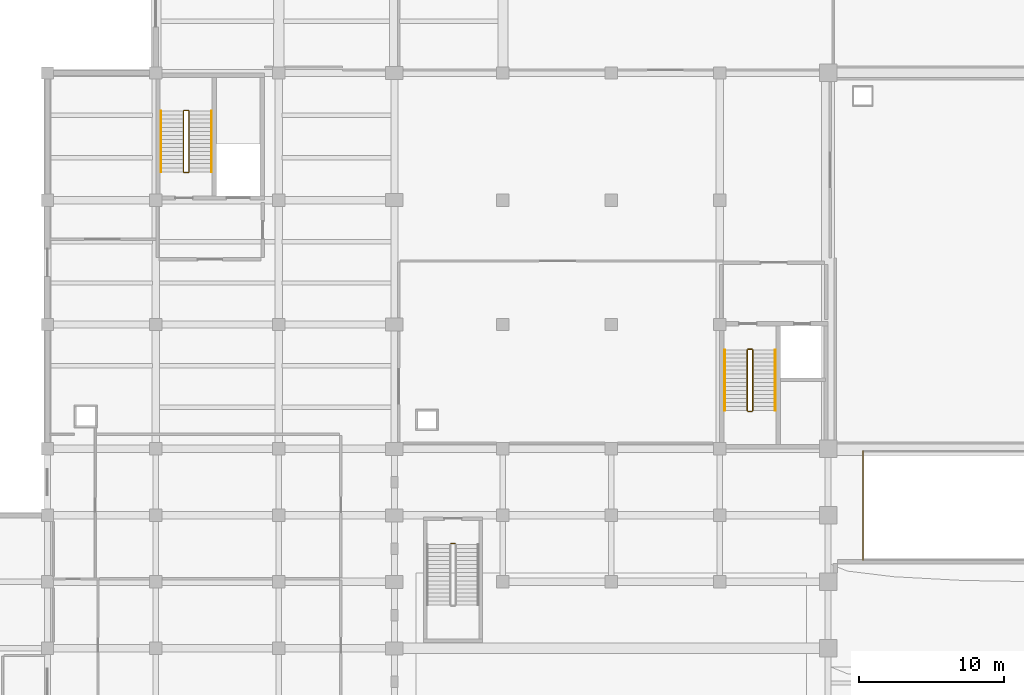
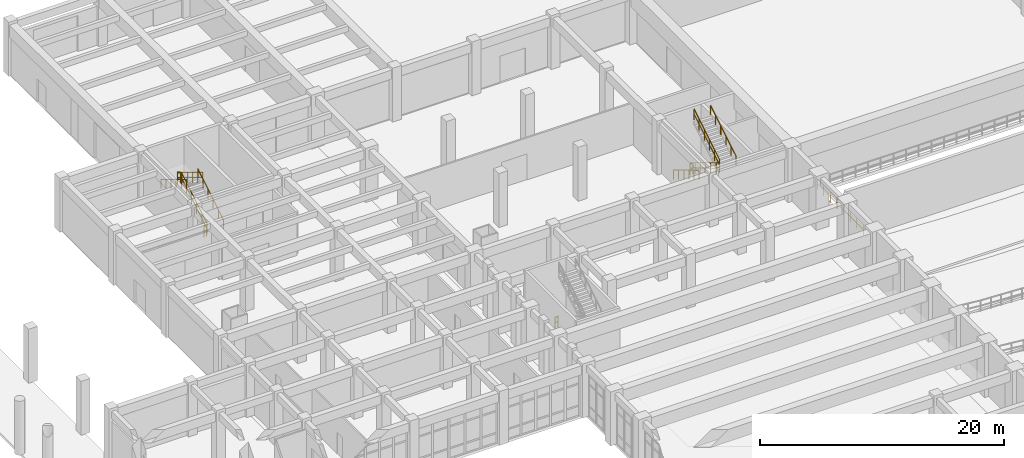
# One storey, part 80 of 84: 14 railings.
"""IFC4 building model written with IfcOpenShell, lengths in metres."""

import ifcopenshell
import ifcopenshell.guid

model = None  # the IFC model being written
_history = None  # IfcOwnerHistory: only IFC2X3 demands one
_inside = {}  # id of a spatial element -> (the spatial element, [elements in it])
_under = {}  # id of a project, library or spatial element -> (it, [spatial elements below it])
_declared = {}  # id of a project -> (the project, [libraries it declares])
_typed = {}  # id of a type object -> (the type object, [elements of that type])
_made_of = {}  # id of a material, layer set ... -> (it, [elements and type objects made of it])


def new_model(schema):
    """Start an empty IFC model of exactly this schema.

    Asked for "IFC4X3", IfcOpenShell would pick the latest addendum, in which some entities
    have other attributes; the version numbers below select the first issue.
    IFC2X3 requires an IfcOwnerHistory on every rooted entity: one is made here for all.
    """
    global model, _history
    if schema == "IFC4X3":
        model = ifcopenshell.file(schema_version=(4, 3, 0, 0))
    else:
        model = ifcopenshell.file(schema=schema)
    _inside.clear()
    _under.clear()
    _declared.clear()
    _typed.clear()
    _made_of.clear()
    _history = None
    if model.schema == "IFC2X3":
        org = make("IfcOrganization", Name="unknown")
        user = make(
            "IfcPersonAndOrganization",
            ThePerson=make("IfcPerson", FamilyName="unknown"),
            TheOrganization=org,
        )
        app = make(
            "IfcApplication",
            ApplicationDeveloper=org,
            Version="unknown",
            ApplicationFullName="unknown",
            ApplicationIdentifier="unknown",
        )
        _history = make(
            "IfcOwnerHistory",
            OwningUser=user,
            OwningApplication=app,
            ChangeAction="ADDED",
            CreationDate=0,
        )
    return model


def make(cls, **values):
    """One entity of the class cls with the attributes given. An attribute that is None is left unset."""
    return model.create_entity(
        cls, **{name: value for name, value in values.items() if value is not None}
    )


def rooted(cls, **values):
    """An entity with a GlobalId (a new one), such as an element, a storey or a relation."""
    return make(cls, GlobalId=ifcopenshell.guid.new(), OwnerHistory=_history, **values)


def si_unit(unit_type, name, prefix=None):
    """IfcSIUnit, for example si_unit("LENGTHUNIT", "METRE", prefix="MILLI")."""
    return make("IfcSIUnit", UnitType=unit_type, Prefix=prefix, Name=name)


def assignment(units):
    """IfcUnitAssignment: the units of a project."""
    return None if units is None else make("IfcUnitAssignment", Units=units)


def point(xyz):
    """IfcCartesianPoint."""
    return None if xyz is None else make("IfcCartesianPoint", Coordinates=xyz)


def direction(xyz):
    """IfcDirection."""
    return None if xyz is None else make("IfcDirection", DirectionRatios=xyz)


def frame(location, z_axis=None, x_axis=None):
    """IfcAxis2Placement3D, a coordinate frame: its origin and axes. An axis left out is left unset."""
    return make(
        "IfcAxis2Placement3D",
        Location=point(location),
        Axis=direction(z_axis),
        RefDirection=direction(x_axis),
    )


def frame_2d(location, x_axis=None):
    """IfcAxis2Placement2D, a coordinate frame in the plane: its origin and x axis."""
    return make(
        "IfcAxis2Placement2D", Location=point(location), RefDirection=direction(x_axis)
    )


def origin():
    """The frame at (0, 0, 0) with its axes left unset."""
    return frame((0.0, 0.0, 0.0))


def origin_2d():
    """The frame at (0, 0) in the plane with its x axis left unset."""
    return frame_2d((0.0, 0.0))


def place(relative_to, where):
    """IfcLocalPlacement: puts the frame where relative to a parent placement (None: the world)."""
    return make(
        "IfcLocalPlacement", PlacementRelTo=relative_to, RelativePlacement=where
    )


def context(
    kind, dimensions, precision=None, world=None, true_north=None, identifier=None
):
    """IfcGeometricRepresentationContext, for example the 3D "Model" context."""
    return make(
        "IfcGeometricRepresentationContext",
        ContextIdentifier=identifier,
        ContextType=kind,
        CoordinateSpaceDimension=dimensions,
        Precision=precision,
        WorldCoordinateSystem=world,
        TrueNorth=true_north,
    )


def subcontext(parent, identifier, kind, view, scale=None):
    """IfcGeometricRepresentationSubContext, for example "Body" below "Model"."""
    return make(
        "IfcGeometricRepresentationSubContext",
        ContextIdentifier=identifier,
        ContextType=kind,
        ParentContext=parent,
        TargetScale=scale,
        TargetView=view,
    )


def project(units=None, contexts=None):
    """IfcProject with its units and contexts."""
    return rooted(
        "IfcProject",
        Name="project",
        RepresentationContexts=contexts,
        UnitsInContext=assignment(units),
    )


def spatial(cls, under=None, at=None, **own):
    """A site, building, storey or space (cls), placed at a placement, below another one or the project."""
    s = rooted(cls, ObjectPlacement=at, **own)
    if under is not None:
        _under.setdefault(under.id(), (under, []))[1].append(s)
    return s


def profile(cls, at=None, kind="AREA", **sizes):
    """A parametric profile (cls). Its sizes go by their IFC names, for example OverallWidth=200.0."""
    return make(cls, ProfileType=kind, Position=at, **sizes)


def circle(**sizes):
    """IfcCircleProfileDef."""
    return profile("IfcCircleProfileDef", **sizes)


def extrude(swept, where, along, depth):
    """IfcExtrudedAreaSolid: the profile swept, set in the frame where, extruded along a direction by depth."""
    return make(
        "IfcExtrudedAreaSolid",
        SweptArea=swept,
        Position=where,
        ExtrudedDirection=direction(along),
        Depth=depth,
    )


def shape(context_of_items, identifier, shape_type, items):
    """IfcShapeRepresentation: the items that make up one representation, for example the "Body"."""
    return make(
        "IfcShapeRepresentation",
        ContextOfItems=context_of_items,
        RepresentationIdentifier=identifier,
        RepresentationType=shape_type,
        Items=items,
    )


def material(Name=None, Category=None):
    """IfcMaterial."""
    return make("IfcMaterial", Name=Name, Category=Category)


def made_of(thing, what):
    """Note that an element or type object is made of a material, layer set ...; save() writes the relation."""
    if what is not None:
        _made_of.setdefault(what.id(), (what, []))[1].append(thing)
    return thing


def type_object(cls, material=None, **own):
    """A type object (cls), such as IfcWallType, which elements share."""
    return made_of(rooted(cls, **own), material)


def element(
    cls,
    number,
    at=None,
    inside=None,
    cuts=None,
    type_object=None,
    material=None,
    context=None,
    identifier="Body",
    shape_type=None,
    held_by="IfcProductDefinitionShape",
    body=None,
    shapes=None,
    **own,
):
    """One element of the class cls, such as IfcWall. Its Tag is "e" and its number.

    at: its placement. inside: the storey or other place that contains it. cuts: it is an
    opening in that element (IfcRelVoidsElement). A single representation is given by context,
    identifier, shape_type and body (its items); several are given by shapes. held_by: the class
    of the entity that holds the representations. save() writes the other relations.
    """
    e = rooted(cls, Tag="e%d" % number, ObjectPlacement=at, **own)
    if body is not None:
        shapes = [shape(context, identifier, shape_type, body)]
    if shapes is not None:
        e.Representation = make(held_by, Representations=shapes)
    if inside is not None:
        _inside.setdefault(inside.id(), (inside, []))[1].append(e)
    if cuts is not None:
        rooted(
            "IfcRelVoidsElement", RelatingBuildingElement=cuts, RelatedOpeningElement=e
        )
    if type_object is not None:
        _typed.setdefault(type_object.id(), (type_object, []))[1].append(e)
    return made_of(e, material)


def aggregate(whole, parts):
    """IfcRelAggregates: a whole, such as a stair, and the parts it consists of."""
    return rooted("IfcRelAggregates", RelatingObject=whole, RelatedObjects=parts)


def save(model, path):
    """Write the relations noted so far, then the file.

    IfcRelAggregates (storeys below a building ...), IfcRelContainedInSpatialStructure (elements
    in a storey), IfcRelDefinesByType, IfcRelAssociatesMaterial and IfcRelDeclares: one each for
    every whole, place, type object, material and project.
    """
    for whole, parts in _under.values():
        aggregate(whole, parts)
    for where, things in _inside.values():
        rooted(
            "IfcRelContainedInSpatialStructure",
            RelatedElements=things,
            RelatingStructure=where,
        )
    for kind, things in _typed.values():
        rooted("IfcRelDefinesByType", RelatedObjects=things, RelatingType=kind)
    for what, things in _made_of.values():
        rooted("IfcRelAssociatesMaterial", RelatedObjects=things, RelatingMaterial=what)
    for by, libraries in _declared.values():
        rooted("IfcRelDeclares", RelatingContext=by, RelatedDefinitions=libraries)
    model.write(path)


model = new_model("IFC4")

# Units and contexts
model_context = context("Model", 3, precision=1e-05, world=origin(), true_north=direction((0.0, 1.0)))
body_context = subcontext(model_context, "Body", "Model", "MODEL_VIEW")
ifc_project = project(units=[si_unit("LENGTHUNIT", "METRE"), si_unit("AREAUNIT", "SQUARE_METRE"), si_unit("VOLUMEUNIT", "CUBIC_METRE"), si_unit("PLANEANGLEUNIT", "RADIAN"), si_unit("MASSUNIT", "GRAM", prefix="KILO")], contexts=[model_context])

# Site, building, storey
site_placement = place(None, origin())
site = spatial("IfcSite", under=ifc_project, at=site_placement, CompositionType="ELEMENT")
building_placement = place(site_placement, origin())
building = spatial("IfcBuilding", under=site, at=building_placement, Name="Muzn Square Opera House", CompositionType="ELEMENT")
storey_placement = place(building_placement, origin())
storey = spatial("IfcBuildingStorey", under=building, at=storey_placement, Name="L00", CompositionType="ELEMENT", Elevation=0.0)

# Railings
ifc_material_1 = material(Name="Architectural bronze mashrabiya", Category="metal")
railing_type_1 = type_object("IfcRailingType", Name="Bronze Protective Balustrade 1120mm", PredefinedType="BALUSTRADE", material=ifc_material_1)
railing_1_placement = place(storey_placement, frame((75.419921875, 72.429931640625, 0.0)))
element("IfcRailing", 1, at=railing_1_placement, inside=storey, type_object=railing_type_1, Name="Void Edge Balustrade L00-0004", PredefinedType="BALUSTRADE", context=body_context, shape_type="SweptSolid", body=[
    extrude(circle(Radius=0.02392578125, at=origin_2d()), frame((0.0, 0.0, 1.09619140625), z_axis=(0.0, -1.0, 0.0), x_axis=(1.0, 0.0, 0.0)), (0.0, 0.0, 1.0), 7.510009765625),
    extrude(circle(Radius=0.02392578125, at=origin_2d()), frame((0.0, 0.0, 0.56005859375), z_axis=(0.0, -1.0, 0.0), x_axis=(1.0, 0.0, 0.0)), (0.0, 0.0, 1.0), 7.510009765625),
    extrude(circle(Radius=0.02099609375, at=origin_2d()), origin(), (0.0, 0.0, 1.0), 1.072021484375),
    extrude(circle(Radius=0.02099609375, at=origin_2d()), frame((0.0, -1.07275390625, 0.0)), (0.0, 0.0, 1.0), 1.072021484375),
    extrude(circle(Radius=0.02099609375, at=origin_2d()), frame((0.0, -2.145751953125, 0.0)), (0.0, 0.0, 1.0), 1.072021484375),
    extrude(circle(Radius=0.02099609375, at=origin_2d()), frame((0.0, -3.218505859375, 0.0)), (0.0, 0.0, 1.0), 1.072021484375),
    extrude(circle(Radius=0.02099609375, at=origin_2d()), frame((0.0, -4.29150390625, 0.0)), (0.0, 0.0, 1.0), 1.072021484375),
    extrude(circle(Radius=0.02099609375, at=origin_2d()), frame((0.0, -5.3642578125, 0.0)), (0.0, 0.0, 1.0), 1.072021484375),
    extrude(circle(Radius=0.02099609375, at=origin_2d()), frame((0.0, -6.437255859375, 0.0)), (0.0, 0.0, 1.0), 1.072021484375),
    extrude(circle(Radius=0.02099609375, at=origin_2d()), frame((0.0, -7.510009765625, 0.0)), (0.0, 0.0, 1.0), 1.072021484375),
])
ifc_material_2 = material(Name="Brushed stainless steel", Category="metal")
railing_type_2 = type_object("IfcRailingType", Name="Stair Guard Railing 1120mm", PredefinedType="GUARDRAIL", material=ifc_material_2)
railing_2_placement = place(storey_placement, frame((67.409912109375, 79.43994140625, 0.168701171875)))
element("IfcRailing", 2, at=railing_2_placement, inside=storey, type_object=railing_type_2, Name="L00 ST-1 stair guard 1", PredefinedType="GUARDRAIL", context=body_context, shape_type="SweptSolid", body=[
    extrude(circle(Radius=0.02392578125, at=origin_2d()), frame((0.0, 0.0, 1.076171875), z_axis=(0.0, -0.856476492594, 0.516186030065), x_axis=(1.0, 0.0, 0.0)), (0.0, 0.0, 1.0), 4.90380859375),
    extrude(circle(Radius=0.02392578125, at=origin_2d()), frame((0.0, 0.0, 0.550048828125), z_axis=(0.0, -0.856476492594, 0.516186030065), x_axis=(1.0, 0.0, 0.0)), (0.0, 0.0, 1.0), 4.90380859375),
    extrude(circle(Radius=0.02099609375, at=origin_2d()), origin(), (0.0, 0.0, 1.0), 1.052001953125),
    extrude(circle(Radius=0.02099609375, at=origin_2d()), frame((0.0, -0.840087890625, 0.50634765625)), (0.0, 0.0, 1.0), 1.052001953125),
    extrude(circle(Radius=0.02099609375, at=origin_2d()), frame((0.0, -1.679931640625, 1.012451171875)), (0.0, 0.0, 1.0), 1.052001953125),
    extrude(circle(Radius=0.02099609375, at=origin_2d()), frame((0.0, -2.52001953125, 1.518798828125)), (0.0, 0.0, 1.0), 1.052001953125),
    extrude(circle(Radius=0.02099609375, at=origin_2d()), frame((0.0, -3.35986328125, 2.02490234375)), (0.0, 0.0, 1.0), 1.052001953125),
    extrude(circle(Radius=0.02099609375, at=origin_2d()), frame((0.0, -4.199951171875, 2.53125)), (0.0, 0.0, 1.0), 1.052001953125),
])
railing_3_placement = place(storey_placement, frame((67.4599609375, 75.18994140625, 2.699951171875)))
element("IfcRailing", 3, at=railing_3_placement, inside=storey, type_object=railing_type_2, Name="L00 ST-1 stair guard 2", PredefinedType="GUARDRAIL", context=body_context, shape_type="SweptSolid", body=[
    extrude(circle(Radius=0.02392578125, at=origin_2d()), frame((0.0, 0.0, 1.076171875), z_axis=(1.0, 0.0, 0.0), x_axis=(0.0, 1.0, 0.0)), (0.0, 0.0, 1.0), 0.280029296875),
    extrude(circle(Radius=0.02392578125, at=origin_2d()), frame((0.0, 0.0, 0.550048828125), z_axis=(1.0, 0.0, 0.0), x_axis=(0.0, 1.0, 0.0)), (0.0, 0.0, 1.0), 0.280029296875),
    extrude(circle(Radius=0.02099609375, at=origin_2d()), origin(), (0.0, 0.0, 1.0), 1.052001953125),
    extrude(circle(Radius=0.02099609375, at=origin_2d()), frame((0.280029296875, 0.0, 0.0)), (0.0, 0.0, 1.0), 1.052001953125),
])
railing_4_placement = place(storey_placement, frame((67.7900390625, 75.239990234375, 2.86865234375)))
element("IfcRailing", 4, at=railing_4_placement, inside=storey, type_object=railing_type_2, Name="L00 ST-1 stair guard 3", PredefinedType="GUARDRAIL", context=body_context, shape_type="SweptSolid", body=[
    extrude(circle(Radius=0.02392578125, at=origin_2d()), frame((0.0, 0.0, 1.076171875), z_axis=(0.0, 0.856476492594, 0.516186030065), x_axis=(-1.0, 0.0, 0.0)), (0.0, 0.0, 1.0), 4.90380859375),
    extrude(circle(Radius=0.02392578125, at=origin_2d()), frame((0.0, 0.0, 0.550048828125), z_axis=(0.0, 0.856476492594, 0.516186030065), x_axis=(-1.0, 0.0, 0.0)), (0.0, 0.0, 1.0), 4.90380859375),
    extrude(circle(Radius=0.02099609375, at=origin_2d()), origin(), (0.0, 0.0, 1.0), 1.052001953125),
    extrude(circle(Radius=0.02099609375, at=origin_2d()), frame((0.0, 0.840087890625, 0.50634765625)), (0.0, 0.0, 1.0), 1.052001953125),
    extrude(circle(Radius=0.02099609375, at=origin_2d()), frame((0.0, 1.679931640625, 1.012451171875)), (0.0, 0.0, 1.0), 1.052001953125),
    extrude(circle(Radius=0.02099609375, at=origin_2d()), frame((0.0, 2.52001953125, 1.518798828125)), (0.0, 0.0, 1.0), 1.052001953125),
    extrude(circle(Radius=0.02099609375, at=origin_2d()), frame((0.0, 3.35986328125, 2.02490234375)), (0.0, 0.0, 1.0), 1.052001953125),
    extrude(circle(Radius=0.02099609375, at=origin_2d()), frame((0.0, 4.199951171875, 2.53125)), (0.0, 0.0, 1.0), 1.052001953125),
])
railing_5_placement = place(storey_placement, frame((67.4599609375, 79.489990234375, 0.0)))
element("IfcRailing", 5, at=railing_5_placement, inside=storey, type_object=railing_type_2, Name="L00 ST-1 stair guard 4", PredefinedType="GUARDRAIL", context=body_context, shape_type="SweptSolid", body=[
    extrude(circle(Radius=0.02392578125, at=origin_2d()), frame((0.0, 0.0, 1.076171875), z_axis=(1.0, 0.0, 0.0), x_axis=(0.0, 1.0, 0.0)), (0.0, 0.0, 1.0), 0.280029296875),
    extrude(circle(Radius=0.02392578125, at=origin_2d()), frame((0.0, 0.0, 0.550048828125), z_axis=(1.0, 0.0, 0.0), x_axis=(0.0, 1.0, 0.0)), (0.0, 0.0, 1.0), 0.280029296875),
    extrude(circle(Radius=0.02099609375, at=origin_2d()), origin(), (0.0, 0.0, 1.0), 1.052001953125),
    extrude(circle(Radius=0.02099609375, at=origin_2d()), frame((0.280029296875, 0.0, 0.0)), (0.0, 0.0, 1.0), 1.052001953125),
])
railing_6_placement = place(storey_placement, frame((28.7900390625, 91.760009765625, 0.168701171875)))
element("IfcRailing", 6, at=railing_6_placement, inside=storey, type_object=railing_type_2, Name="L00 ST-6 stair guard 1", PredefinedType="GUARDRAIL", context=body_context, shape_type="SweptSolid", body=[
    extrude(circle(Radius=0.02392578125, at=origin_2d()), frame((0.0, 0.0, 1.076171875), z_axis=(0.0, 0.856476492594, 0.516186030065), x_axis=(-1.0, 0.0, 0.0)), (0.0, 0.0, 1.0), 4.90380859375),
    extrude(circle(Radius=0.02392578125, at=origin_2d()), frame((0.0, 0.0, 0.550048828125), z_axis=(0.0, 0.856476492594, 0.516186030065), x_axis=(-1.0, 0.0, 0.0)), (0.0, 0.0, 1.0), 4.90380859375),
    extrude(circle(Radius=0.02099609375, at=origin_2d()), origin(), (0.0, 0.0, 1.0), 1.052001953125),
    extrude(circle(Radius=0.02099609375, at=origin_2d()), frame((0.0, 0.840087890625, 0.50634765625)), (0.0, 0.0, 1.0), 1.052001953125),
    extrude(circle(Radius=0.02099609375, at=origin_2d()), frame((0.0, 1.679931640625, 1.012451171875)), (0.0, 0.0, 1.0), 1.052001953125),
    extrude(circle(Radius=0.02099609375, at=origin_2d()), frame((0.0, 2.52001953125, 1.518798828125)), (0.0, 0.0, 1.0), 1.052001953125),
    extrude(circle(Radius=0.02099609375, at=origin_2d()), frame((0.0, 3.35986328125, 2.02490234375)), (0.0, 0.0, 1.0), 1.052001953125),
    extrude(circle(Radius=0.02099609375, at=origin_2d()), frame((0.0, 4.199951171875, 2.53125)), (0.0, 0.0, 1.0), 1.052001953125),
])
railing_7_placement = place(storey_placement, frame((28.739990234375, 96.010009765625, 2.699951171875)))
element("IfcRailing", 7, at=railing_7_placement, inside=storey, type_object=railing_type_2, Name="L00 ST-6 stair guard 2", PredefinedType="GUARDRAIL", context=body_context, shape_type="SweptSolid", body=[
    extrude(circle(Radius=0.02392578125, at=origin_2d()), frame((0.0, 0.0, 1.076171875), z_axis=(-1.0, 0.0, 0.0), x_axis=(0.0, -1.0, 0.0)), (0.0, 0.0, 1.0), 0.280029296875),
    extrude(circle(Radius=0.02392578125, at=origin_2d()), frame((0.0, 0.0, 0.550048828125), z_axis=(-1.0, 0.0, 0.0), x_axis=(0.0, -1.0, 0.0)), (0.0, 0.0, 1.0), 0.280029296875),
    extrude(circle(Radius=0.02099609375, at=origin_2d()), origin(), (0.0, 0.0, 1.0), 1.052001953125),
    extrude(circle(Radius=0.02099609375, at=origin_2d()), frame((-0.280029296875, 0.0, 0.0)), (0.0, 0.0, 1.0), 1.052001953125),
])
railing_8_placement = place(storey_placement, frame((28.409912109375, 95.9599609375, 2.86865234375)))
element("IfcRailing", 8, at=railing_8_placement, inside=storey, type_object=railing_type_2, Name="L00 ST-6 stair guard 3", PredefinedType="GUARDRAIL", context=body_context, shape_type="SweptSolid", body=[
    extrude(circle(Radius=0.02392578125, at=origin_2d()), frame((0.0, 0.0, 1.076171875), z_axis=(0.0, -0.856476492594, 0.516186030065), x_axis=(1.0, 0.0, 0.0)), (0.0, 0.0, 1.0), 4.90380859375),
    extrude(circle(Radius=0.02392578125, at=origin_2d()), frame((0.0, 0.0, 0.550048828125), z_axis=(0.0, -0.856476492594, 0.516186030065), x_axis=(1.0, 0.0, 0.0)), (0.0, 0.0, 1.0), 4.90380859375),
    extrude(circle(Radius=0.02099609375, at=origin_2d()), origin(), (0.0, 0.0, 1.0), 1.052001953125),
    extrude(circle(Radius=0.02099609375, at=origin_2d()), frame((0.0, -0.840087890625, 0.50634765625)), (0.0, 0.0, 1.0), 1.052001953125),
    extrude(circle(Radius=0.02099609375, at=origin_2d()), frame((0.0, -1.679931640625, 1.012451171875)), (0.0, 0.0, 1.0), 1.052001953125),
    extrude(circle(Radius=0.02099609375, at=origin_2d()), frame((0.0, -2.52001953125, 1.518798828125)), (0.0, 0.0, 1.0), 1.052001953125),
    extrude(circle(Radius=0.02099609375, at=origin_2d()), frame((0.0, -3.35986328125, 2.02490234375)), (0.0, 0.0, 1.0), 1.052001953125),
    extrude(circle(Radius=0.02099609375, at=origin_2d()), frame((0.0, -4.199951171875, 2.53125)), (0.0, 0.0, 1.0), 1.052001953125),
])
railing_9_placement = place(storey_placement, frame((28.739990234375, 91.7099609375, 0.0)))
element("IfcRailing", 9, at=railing_9_placement, inside=storey, type_object=railing_type_2, Name="L00 ST-6 stair guard 4", PredefinedType="GUARDRAIL", context=body_context, shape_type="SweptSolid", body=[
    extrude(circle(Radius=0.02392578125, at=origin_2d()), frame((0.0, 0.0, 1.076171875), z_axis=(-1.0, 0.0, 0.0), x_axis=(0.0, -1.0, 0.0)), (0.0, 0.0, 1.0), 0.280029296875),
    extrude(circle(Radius=0.02392578125, at=origin_2d()), frame((0.0, 0.0, 0.550048828125), z_axis=(-1.0, 0.0, 0.0), x_axis=(0.0, -1.0, 0.0)), (0.0, 0.0, 1.0), 0.280029296875),
    extrude(circle(Radius=0.02099609375, at=origin_2d()), origin(), (0.0, 0.0, 1.0), 1.052001953125),
    extrude(circle(Radius=0.02099609375, at=origin_2d()), frame((-0.280029296875, 0.0, 0.0)), (0.0, 0.0, 1.0), 1.052001953125),
])
railing_10_placement = place(storey_placement, frame((46.909912109375, 66.0400390625, 0.0)))
element("IfcRailing", 10, at=railing_10_placement, inside=storey, type_object=railing_type_2, Name="L00 ST-9 stair guard 4", PredefinedType="GUARDRAIL", context=body_context, shape_type="SweptSolid", body=[
    extrude(circle(Radius=0.02392578125, at=origin_2d()), frame((0.0, 0.0, 1.076171875), z_axis=(1.0, 0.0, 0.0), x_axis=(0.0, 1.0, 0.0)), (0.0, 0.0, 1.0), 0.280029296875),
    extrude(circle(Radius=0.02392578125, at=origin_2d()), frame((0.0, 0.0, 0.550048828125), z_axis=(1.0, 0.0, 0.0), x_axis=(0.0, 1.0, 0.0)), (0.0, 0.0, 1.0), 0.280029296875),
    extrude(circle(Radius=0.02099609375, at=origin_2d()), origin(), (0.0, 0.0, 1.0), 1.052001953125),
    extrude(circle(Radius=0.02099609375, at=origin_2d()), frame((0.280029296875, 0.0, 0.0)), (0.0, 0.0, 1.0), 1.052001953125),
])
railing_type_3 = type_object("IfcRailingType", Name="Stair Pitch Handrail 900mm", PredefinedType="HANDRAIL", material=ifc_material_2)
railing_11_placement = place(storey_placement, frame((65.85009765625, 79.43994140625, 0.168701171875)))
element("IfcRailing", 11, at=railing_11_placement, inside=storey, type_object=railing_type_3, Name="L00 ST-1 stair handrail 1", PredefinedType="HANDRAIL", context=body_context, shape_type="SweptSolid", body=[
    extrude(circle(Radius=0.02392578125, at=origin_2d()), frame((0.0, 0.0, 0.8759765625), z_axis=(0.0, -0.856476492594, 0.516186030065), x_axis=(1.0, 0.0, 0.0)), (0.0, 0.0, 1.0), 4.90380859375),
    extrude(circle(Radius=0.02099609375, at=origin_2d()), origin(), (0.0, 0.0, 1.0), 0.851806640625),
    extrude(circle(Radius=0.02099609375, at=origin_2d()), frame((0.0, -0.840087890625, 0.50634765625)), (0.0, 0.0, 1.0), 0.851806640625),
    extrude(circle(Radius=0.02099609375, at=origin_2d()), frame((0.0, -1.679931640625, 1.012451171875)), (0.0, 0.0, 1.0), 0.851806640625),
    extrude(circle(Radius=0.02099609375, at=origin_2d()), frame((0.0, -2.52001953125, 1.518798828125)), (0.0, 0.0, 1.0), 0.851806640625),
    extrude(circle(Radius=0.02099609375, at=origin_2d()), frame((0.0, -3.35986328125, 2.02490234375)), (0.0, 0.0, 1.0), 0.851806640625),
    extrude(circle(Radius=0.02099609375, at=origin_2d()), frame((0.0, -4.199951171875, 2.53125)), (0.0, 0.0, 1.0), 0.851806640625),
])
for number, where, name in (
    (12, (69.35009765625, 75.239990234375, 2.86865234375), "L00 ST-1 stair handrail 2"),
    (13, (30.35009765625, 91.760009765625, 0.168701171875), "L00 ST-6 stair handrail 1"),
):
    element("IfcRailing", number, at=place(storey_placement, frame(where)), inside=storey, type_object=railing_type_3, Name=name, PredefinedType="HANDRAIL", context=body_context, shape_type="SweptSolid", body=[
        extrude(circle(Radius=0.02392578125, at=origin_2d()), frame((0.0, 0.0, 0.8759765625), z_axis=(0.0, 0.856476492594, 0.516186030065), x_axis=(-1.0, 0.0, 0.0)), (0.0, 0.0, 1.0), 4.90380859375),
        extrude(circle(Radius=0.02099609375, at=origin_2d()), origin(), (0.0, 0.0, 1.0), 0.851806640625),
        extrude(circle(Radius=0.02099609375, at=origin_2d()), frame((0.0, 0.840087890625, 0.50634765625)), (0.0, 0.0, 1.0), 0.851806640625),
        extrude(circle(Radius=0.02099609375, at=origin_2d()), frame((0.0, 1.679931640625, 1.012451171875)), (0.0, 0.0, 1.0), 0.851806640625),
        extrude(circle(Radius=0.02099609375, at=origin_2d()), frame((0.0, 2.52001953125, 1.518798828125)), (0.0, 0.0, 1.0), 0.851806640625),
        extrude(circle(Radius=0.02099609375, at=origin_2d()), frame((0.0, 3.35986328125, 2.02490234375)), (0.0, 0.0, 1.0), 0.851806640625),
        extrude(circle(Radius=0.02099609375, at=origin_2d()), frame((0.0, 4.199951171875, 2.53125)), (0.0, 0.0, 1.0), 0.851806640625),
    ])
railing_12_placement = place(storey_placement, frame((26.85009765625, 95.9599609375, 2.86865234375)))
element("IfcRailing", 14, at=railing_12_placement, inside=storey, type_object=railing_type_3, Name="L00 ST-6 stair handrail 2", PredefinedType="HANDRAIL", context=body_context, shape_type="SweptSolid", body=[
    extrude(circle(Radius=0.02392578125, at=origin_2d()), frame((0.0, 0.0, 0.8759765625), z_axis=(0.0, -0.856476492594, 0.516186030065), x_axis=(1.0, 0.0, 0.0)), (0.0, 0.0, 1.0), 4.90380859375),
    extrude(circle(Radius=0.02099609375, at=origin_2d()), origin(), (0.0, 0.0, 1.0), 0.851806640625),
    extrude(circle(Radius=0.02099609375, at=origin_2d()), frame((0.0, -0.840087890625, 0.50634765625)), (0.0, 0.0, 1.0), 0.851806640625),
    extrude(circle(Radius=0.02099609375, at=origin_2d()), frame((0.0, -1.679931640625, 1.012451171875)), (0.0, 0.0, 1.0), 0.851806640625),
    extrude(circle(Radius=0.02099609375, at=origin_2d()), frame((0.0, -2.52001953125, 1.518798828125)), (0.0, 0.0, 1.0), 0.851806640625),
    extrude(circle(Radius=0.02099609375, at=origin_2d()), frame((0.0, -3.35986328125, 2.02490234375)), (0.0, 0.0, 1.0), 0.851806640625),
    extrude(circle(Radius=0.02099609375, at=origin_2d()), frame((0.0, -4.199951171875, 2.53125)), (0.0, 0.0, 1.0), 0.851806640625),
])

save(model, "model.ifc")
